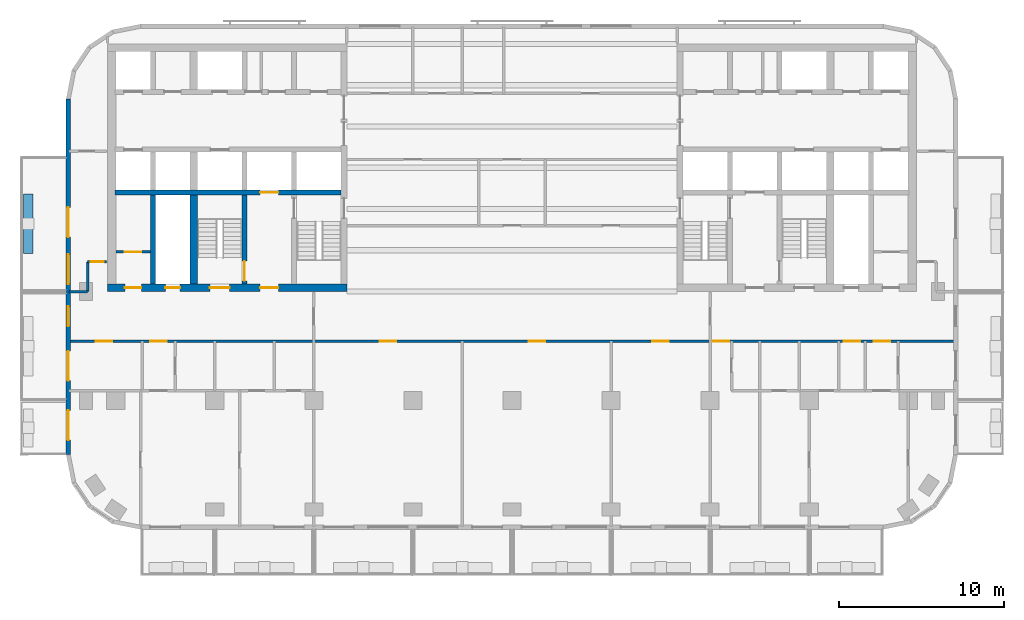
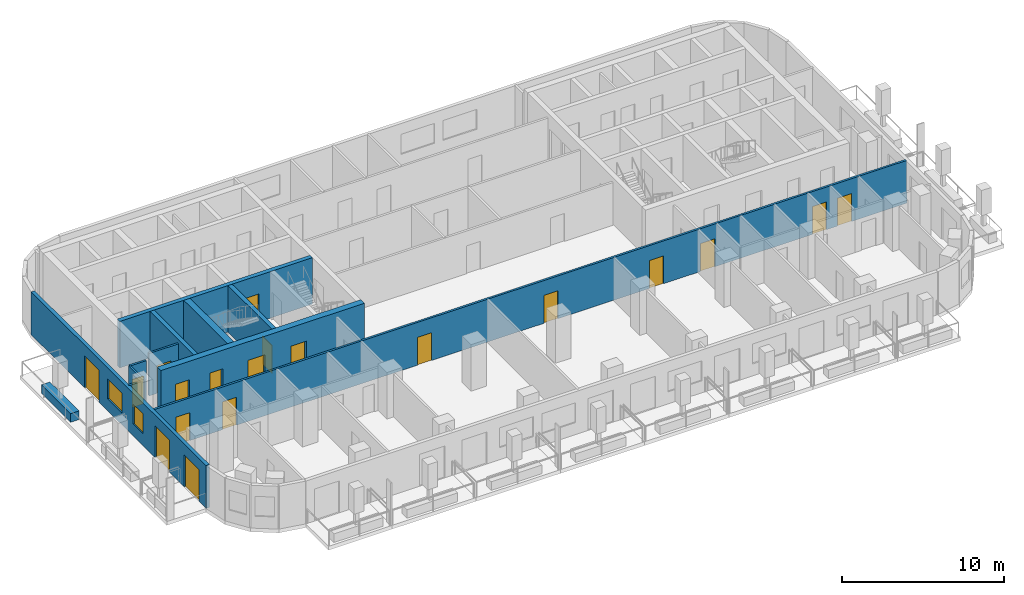
# One storey, part 3 of 11: 19 doors, 12 walls, 2 windows, 21 openings.
"""IFC4 building model written with IfcOpenShell, lengths in metres."""

from ifc_helpers import new_model, si_unit, direction, frame, frame_2d, origin, place, context, subcontext, project, spatial, rectangle, extrude, material, layer, layer_set, type_object, element, fill, save


model = new_model("IFC4")

# Units and contexts
model_context = context("Model", 3, precision=1e-05, world=origin(), true_north=direction((0.0, 1.0)))
body_context = subcontext(model_context, "Body", "Model", "MODEL_VIEW")
ifc_project = project(units=[si_unit("LENGTHUNIT", "METRE"), si_unit("AREAUNIT", "SQUARE_METRE"), si_unit("VOLUMEUNIT", "CUBIC_METRE"), si_unit("PLANEANGLEUNIT", "RADIAN"), si_unit("MASSUNIT", "GRAM", prefix="KILO")], contexts=[model_context])

# Site, building, storey
site_placement = place(None, origin())
site = spatial("IfcSite", under=ifc_project, at=site_placement, CompositionType="ELEMENT")
building_placement = place(site_placement, origin())
building = spatial("IfcBuilding", under=site, at=building_placement, Name="Torana Hotel and Residences", CompositionType="ELEMENT")
storey_placement = place(building_placement, frame((0.0, 0.0, 225.60009765625)))
storey = spatial("IfcBuildingStorey", under=building, at=storey_placement, Name="L59", CompositionType="ELEMENT", Elevation=225.60009765625)

# Wall, opening, door
ifc_material_1 = material(Name="Concrete C70/85", Category="concrete")
ifc_layer_1 = layer(ifc_material_1, 0.300048828125)
ifc_layer_set_1 = layer_set([ifc_layer_1], Name="CORE WALL 300 C70/85")
wall_type_1 = type_object("IfcWallType", Name="CORE WALL 300 C70/85", PredefinedType="SHEAR", material=ifc_layer_set_1)
wall_1_placement = place(storey_placement, frame((-24.050048828125, -9.0, 0.0), z_axis=(0.0, 0.0, 1.0), x_axis=(1.0, 0.0, 0.0)))
wall_1 = element("IfcWall", 1, at=wall_1_placement, inside=storey, type_object=wall_type_1, Name="Core wall W band", PredefinedType="SHEAR", context=body_context, shape_type="SweptSolid", body=[
    extrude(rectangle(XDim=13.699951171875, YDim=0.300048828125, at=frame_2d((6.85009765625, 0.0))), origin(), (0.0, 0.0, 1.0), 3.5),
])
opening_1_placement = place(wall_1_placement, frame((8.800048828125, 0.0, 0.0)))
opening_1 = element("IfcOpeningElement", 2, at=opening_1_placement, cuts=wall_1, Name="Opening LD", PredefinedType="OPENING", context=body_context, shape_type="SweptSolid", body=[
    extrude(rectangle(XDim=1.10009765625, YDim=2.10009765625, at=frame_2d((0.550048828125, 1.050048828125))), frame((0.0, 0.159912109375, 0.0), z_axis=(0.0, -1.0, 0.0), x_axis=(1.0, 0.0, 0.0)), (0.0, 0.0, 1.0), 0.320068359375),
])
ifc_material_2 = material(Name="Stainless steel 316", Category="steel")
door_type_1 = type_object("IfcDoorType", Name="LIFT LANDING DOOR LD 1100x2100", OperationType="DOUBLE_DOOR_SLIDING", PredefinedType="USERDEFINED", material=ifc_material_2)
door_1_placement = place(opening_1_placement, origin())
door_1 = element("IfcDoor", 3, at=door_1_placement, inside=storey, type_object=door_type_1, Name="Lift landing door FF1 L59", ObjectType="LIFT LANDING DOOR", OperationType="DOUBLE_DOOR_SLIDING", OverallHeight=2.10009765625, OverallWidth=1.10009765625, PredefinedType="USERDEFINED", context=body_context, shape_type="SweptSolid", body=[
    extrude(rectangle(XDim=1.10009765625, YDim=2.10009765625, at=frame_2d((0.550048828125, 1.050048828125))), frame((0.0, 0.02490234375, 0.0), z_axis=(0.0, -1.0, 0.0), x_axis=(1.0, 0.0, 0.0)), (0.0, 0.0, 1.0), 0.050048828125),
])
fill(opening_1, door_1)

wall_2_placement = place(storey_placement, frame((-16.199951171875, -14.550048828125, 0.0), z_axis=(0.0, 0.0, 1.0), x_axis=(0.0, 1.0, 0.0)))
wall_2 = element("IfcWall", 4, at=wall_2_placement, inside=storey, type_object=wall_type_1, Name="Core wall W x6.05-band", PredefinedType="SHEAR", context=body_context, shape_type="SweptSolid", body=[
    extrude(rectangle(XDim=5.400146484375, YDim=0.300048828125, at=frame_2d((2.7001953125, 0.0))), origin(), (0.0, 0.0, 1.0), 3.5),
])
opening_2_placement = place(wall_2_placement, frame((0.199951171875, 0.0, 0.0)))
opening_2 = element("IfcOpeningElement", 5, at=opening_2_placement, cuts=wall_2, Name="Opening L59-14", PredefinedType="OPENING", context=body_context, shape_type="SweptSolid", body=[
    extrude(rectangle(XDim=1.199951171875, YDim=2.10009765625, at=frame_2d((0.60009765625, 1.050048828125))), frame((0.0, 0.159912109375, 0.0), z_axis=(0.0, -1.0, 0.0), x_axis=(1.0, 0.0, 0.0)), (0.0, 0.0, 1.0), 0.320068359375),
])
ifc_material_3 = material(Name="Steel S235", Category="steel")
door_type_2 = type_object("IfcDoorType", Name="STAIR FIRE DOOR D3 1200x2100", OperationType="SINGLE_SWING_LEFT", PredefinedType="DOOR", material=ifc_material_3)
door_2_placement = place(opening_2_placement, origin())
door_2 = element("IfcDoor", 6, at=door_2_placement, inside=storey, type_object=door_type_2, Name="Stair-B-lobby door L59", OperationType="SINGLE_SWING_RIGHT", OverallHeight=2.10009765625, OverallWidth=1.199951171875, PredefinedType="DOOR", context=body_context, shape_type="SweptSolid", body=[
    extrude(rectangle(XDim=1.199951171875, YDim=2.10009765625, at=frame_2d((0.60009765625, 1.050048828125))), frame((0.0, 0.02490234375, 0.0), z_axis=(0.0, -1.0, 0.0), x_axis=(1.0, 0.0, 0.0)), (0.0, 0.0, 1.0), 0.050048828125),
])
fill(opening_2, door_2)

# Wall
wall_3_placement = place(storey_placement, frame((-21.75, -14.550048828125, 0.0), z_axis=(0.0, 0.0, 1.0), x_axis=(0.0, 1.0, 0.0)))
element("IfcWall", 7, at=wall_3_placement, inside=storey, type_object=wall_type_1, Name="Core wall W mm-band", PredefinedType="SHEAR", context=body_context, shape_type="SweptSolid", body=[
    extrude(rectangle(XDim=5.400146484375, YDim=0.300048828125, at=frame_2d((2.7001953125, 0.0))), origin(), (0.0, 0.0, 1.0), 3.5),
])

# Wall, openings, doors
ifc_material_4 = material(Name="Concrete C70/85", Category="concrete")
ifc_layer_2 = layer(ifc_material_4, 0.449951171875)
ifc_layer_set_2 = layer_set([ifc_layer_2], Name="CORE WALL 450 C70/85")
wall_type_2 = type_object("IfcWallType", Name="CORE WALL 450 C70/85", PredefinedType="SHEAR", material=ifc_layer_set_2)
wall_4_placement = place(storey_placement, frame((-24.5, -14.77490234375, 0.0), z_axis=(0.0, 0.0, 1.0), x_axis=(1.0, 0.0, 0.0)))
wall_4 = element("IfcWall", 8, at=wall_4_placement, inside=storey, type_object=wall_type_2, Name="Core wall W front", PredefinedType="SHEAR", context=body_context, shape_type="SweptSolid", body=[
    extrude(rectangle(XDim=14.5, YDim=0.449951171875, at=frame_2d((7.25, 0.0))), origin(), (0.0, 0.0, 1.0), 3.5),
])
opening_3_placement = place(wall_4_placement, frame((6.199951171875, 0.0, 0.0)))
opening_3 = element("IfcOpeningElement", 9, at=opening_3_placement, cuts=wall_4, Name="Opening L59-04", PredefinedType="OPENING", context=body_context, shape_type="SweptSolid", body=[
    extrude(rectangle(XDim=1.199951171875, YDim=2.10009765625, at=frame_2d((0.60009765625, 1.050048828125))), frame((0.0, 0.23486328125, 0.0), z_axis=(0.0, -1.0, 0.0), x_axis=(1.0, 0.0, 0.0)), (0.0, 0.0, 1.0), 0.469970703125),
])
opening_4_placement = place(wall_4_placement, frame((9.25, 0.0, 0.0)))
opening_4 = element("IfcOpeningElement", 10, at=opening_4_placement, cuts=wall_4, Name="Opening L59-05", PredefinedType="OPENING", context=body_context, shape_type="SweptSolid", body=[
    extrude(rectangle(XDim=1.10009765625, YDim=2.10009765625, at=frame_2d((0.550048828125, 1.050048828125))), frame((0.0, 0.23486328125, 0.0), z_axis=(0.0, -1.0, 0.0), x_axis=(1.0, 0.0, 0.0)), (0.0, 0.0, 1.0), 0.469970703125),
])
opening_5_placement = place(wall_4_placement, frame((3.5, 0.0, 0.0)))
opening_5 = element("IfcOpeningElement", 11, at=opening_5_placement, cuts=wall_4, Name="Opening L59-06", PredefinedType="OPENING", context=body_context, shape_type="SweptSolid", body=[
    extrude(rectangle(XDim=0.89990234375, YDim=2.10009765625, at=frame_2d((0.449951171875, 1.050048828125))), frame((0.0, 0.23486328125, 0.0), z_axis=(0.0, -1.0, 0.0), x_axis=(1.0, 0.0, 0.0)), (0.0, 0.0, 1.0), 0.469970703125),
])
opening_6_placement = place(wall_4_placement, frame((1.050048828125, 0.0, 0.0)))
opening_6 = element("IfcOpeningElement", 12, at=opening_6_placement, cuts=wall_4, Name="Opening L59-07", PredefinedType="OPENING", context=body_context, shape_type="SweptSolid", body=[
    extrude(rectangle(XDim=1.0, YDim=2.10009765625, at=frame_2d((0.5, 1.050048828125))), frame((0.0, 0.23486328125, 0.0), z_axis=(0.0, -1.0, 0.0), x_axis=(1.0, 0.0, 0.0)), (0.0, 0.0, 1.0), 0.469970703125),
])
ifc_material_5 = material(Name="Steel S235", Category="steel")
door_type_3 = type_object("IfcDoorType", Name="CORE ROOM FIRE DOOR D14 1000x2100", OperationType="SINGLE_SWING_LEFT", PredefinedType="DOOR", material=ifc_material_5)
door_3_placement = place(opening_6_placement, origin())
door_3 = element("IfcDoor", 13, at=door_3_placement, inside=storey, type_object=door_type_3, Name="M-Room-B door L59", OperationType="SINGLE_SWING_RIGHT", OverallHeight=2.10009765625, OverallWidth=1.0, PredefinedType="DOOR", context=body_context, shape_type="SweptSolid", body=[
    extrude(rectangle(XDim=1.0, YDim=2.10009765625, at=frame_2d((0.5, 1.050048828125))), frame((0.0, 0.02490234375, 0.0), z_axis=(0.0, -1.0, 0.0), x_axis=(1.0, 0.0, 0.0)), (0.0, 0.0, 1.0), 0.050048828125),
])
fill(opening_6, door_3)
ifc_material_6 = material(Name="Steel S235", Category="steel")
door_type_4 = type_object("IfcDoorType", Name="FIRE-FIGHTING LOBBY DOOR D8 1100x2100", OperationType="SINGLE_SWING_LEFT", PredefinedType="DOOR", material=ifc_material_6)
door_4_placement = place(opening_4_placement, origin())
door_4 = element("IfcDoor", 14, at=door_4_placement, inside=storey, type_object=door_type_4, Name="FF-lobby door L59", OperationType="SINGLE_SWING_RIGHT", OverallHeight=2.10009765625, OverallWidth=1.10009765625, PredefinedType="DOOR", context=body_context, shape_type="SweptSolid", body=[
    extrude(rectangle(XDim=1.10009765625, YDim=2.10009765625, at=frame_2d((0.550048828125, 1.050048828125))), frame((0.0, 0.02490234375, 0.0), z_axis=(0.0, -1.0, 0.0), x_axis=(1.0, 0.0, 0.0)), (0.0, 0.0, 1.0), 0.050048828125),
])
fill(opening_4, door_4)
ifc_material_7 = material(Name="Steel S235", Category="steel")
door_type_5 = type_object("IfcDoorType", Name="RISER ACCESS DOOR D5 900x2100", OperationType="SINGLE_SWING_LEFT", PredefinedType="DOOR", material=ifc_material_7)
door_5_placement = place(opening_5_placement, origin())
door_5 = element("IfcDoor", 15, at=door_5_placement, inside=storey, type_object=door_type_5, Name="M-Riser door L59", OperationType="SINGLE_SWING_RIGHT", OverallHeight=2.10009765625, OverallWidth=0.89990234375, PredefinedType="DOOR", context=body_context, shape_type="SweptSolid", body=[
    extrude(rectangle(XDim=0.89990234375, YDim=2.10009765625, at=frame_2d((0.449951171875, 1.050048828125))), frame((0.0, 0.02490234375, 0.0), z_axis=(0.0, -1.0, 0.0), x_axis=(1.0, 0.0, 0.0)), (0.0, 0.0, 1.0), 0.050048828125),
])
fill(opening_5, door_5)
door_6_placement = place(opening_3_placement, origin())
door_6 = element("IfcDoor", 16, at=door_6_placement, inside=storey, type_object=door_type_2, Name="Stair-B door L59", OperationType="SINGLE_SWING_RIGHT", OverallHeight=2.10009765625, OverallWidth=1.199951171875, PredefinedType="DOOR", context=body_context, shape_type="SweptSolid", body=[
    extrude(rectangle(XDim=1.199951171875, YDim=2.10009765625, at=frame_2d((0.60009765625, 1.050048828125))), frame((0.0, 0.02490234375, 0.0), z_axis=(0.0, -1.0, 0.0), x_axis=(1.0, 0.0, 0.0)), (0.0, 0.0, 1.0), 0.050048828125),
])
fill(opening_3, door_6)

# Wall
wall_5_placement = place(storey_placement, frame((-19.27490234375, -14.550048828125, 0.0), z_axis=(0.0, 0.0, 1.0), x_axis=(0.0, 1.0, 0.0)))
element("IfcWall", 17, at=wall_5_placement, inside=storey, type_object=wall_type_2, Name="Core wall W hm-band", PredefinedType="SHEAR", context=body_context, shape_type="SweptSolid", body=[
    extrude(rectangle(XDim=5.400146484375, YDim=0.449951171875, at=frame_2d((2.7001953125, 0.0))), origin(), (0.0, 0.0, 1.0), 3.5),
])

# Wall, openings, doors, windows
ifc_material_8 = material(Name="Black aluminium composite panel", Category="aluminium")
ifc_layer_3 = layer(ifc_material_8, 0.00390625, Name="Cladding", Category="cladding")
ifc_material_9 = material(Name="Ventilated air cavity")
ifc_layer_4 = layer(ifc_material_9, 0.0400390625, Name="Ventilated cavity", Category="cavity")
ifc_material_10 = material(Name="Mineral wool insulation")
ifc_layer_5 = layer(ifc_material_10, 0.090087890625, Name="Insulation", Category="insulation")
ifc_material_11 = material(Name="Steel S280GD", Category="steel")
ifc_layer_6 = layer(ifc_material_11, 0.092041015625, Name="Steel stud frame", Category="structure")
ifc_material_12 = material(Name="Fire rated plasterboard")
ifc_layer_7 = layer(ifc_material_12, 0.011962890625, Name="Inner board", Category="finish")
ifc_layer_8 = layer(ifc_material_12, 0.011962890625, Name="Second board", Category="finish")
ifc_layer_set_3 = layer_set([ifc_layer_3, ifc_layer_4, ifc_layer_5, ifc_layer_6, ifc_layer_7, ifc_layer_8], Name="EW1 EXTERNAL WALL BLACK METAL CLAD 250")
wall_type_3 = type_object("IfcWallType", Name="EW1 EXTERNAL WALL BLACK METAL CLAD 250", PredefinedType="SOLIDWALL", material=ifc_layer_set_3)
wall_6_placement = place(storey_placement, frame((-26.875, -3.32470703125, 0.0), z_axis=(0.0, 0.0, 1.0), x_axis=(0.0, -1.0, 0.0)))
wall_6 = element("IfcWall", 18, at=wall_6_placement, inside=storey, type_object=wall_type_3, Name="External wall L59 e0.9", PredefinedType="SOLIDWALL", context=body_context, shape_type="SweptSolid", body=[
    extrude(rectangle(XDim=21.55078125, YDim=0.25, at=frame_2d((10.775390625, 0.0))), origin(), (0.0, 0.0, 1.0), 3.219970703125),
])
opening_7_placement = place(wall_6_placement, frame((6.575439453125, 0.0, 0.0)))
opening_7 = element("IfcOpeningElement", 19, at=opening_7_placement, cuts=wall_6, Name="Opening L59-E12", PredefinedType="OPENING", context=body_context, shape_type="SweptSolid", body=[
    extrude(rectangle(XDim=1.800048828125, YDim=2.39990234375, at=frame_2d((0.89990234375, 1.199951171875))), frame((0.0, 0.135009765625, 0.0), z_axis=(0.0, -1.0, 0.0), x_axis=(1.0, 0.0, 0.0)), (0.0, 0.0, 1.0), 0.27001953125),
])
opening_8_placement = place(wall_6_placement, frame((9.42529296875, 0.0, 0.89990234375)))
opening_8 = element("IfcOpeningElement", 20, at=opening_8_placement, cuts=wall_6, Name="Opening W4", PredefinedType="OPENING", context=body_context, shape_type="SweptSolid", body=[
    extrude(rectangle(XDim=1.800048828125, YDim=1.5, at=frame_2d((0.89990234375, 0.75))), frame((0.0, 0.135009765625, 0.0), z_axis=(0.0, -1.0, 0.0), x_axis=(1.0, 0.0, 0.0)), (0.0, 0.0, 1.0), 0.27001953125),
])
opening_9_placement = place(wall_6_placement, frame((12.575439453125, 0.0, 0.89990234375)))
opening_9 = element("IfcOpeningElement", 21, at=opening_9_placement, cuts=wall_6, Name="Opening W5", PredefinedType="OPENING", context=body_context, shape_type="SweptSolid", body=[
    extrude(rectangle(XDim=1.199951171875, YDim=1.5, at=frame_2d((0.60009765625, 0.75))), frame((0.0, 0.135009765625, 0.0), z_axis=(0.0, -1.0, 0.0), x_axis=(1.0, 0.0, 0.0)), (0.0, 0.0, 1.0), 0.27001953125),
])
opening_10_placement = place(wall_6_placement, frame((15.275390625, 0.0, 0.0)))
opening_10 = element("IfcOpeningElement", 22, at=opening_10_placement, cuts=wall_6, Name="Opening L59-E13", PredefinedType="OPENING", context=body_context, shape_type="SweptSolid", body=[
    extrude(rectangle(XDim=1.800048828125, YDim=2.39990234375, at=frame_2d((0.89990234375, 1.199951171875))), frame((0.0, 0.135009765625, 0.0), z_axis=(0.0, -1.0, 0.0), x_axis=(1.0, 0.0, 0.0)), (0.0, 0.0, 1.0), 0.27001953125),
])
opening_11_placement = place(wall_6_placement, frame((18.87548828125, 0.0, 0.0)))
opening_11 = element("IfcOpeningElement", 23, at=opening_11_placement, cuts=wall_6, Name="Opening L59-E14", PredefinedType="OPENING", context=body_context, shape_type="SweptSolid", body=[
    extrude(rectangle(XDim=1.800048828125, YDim=2.39990234375, at=frame_2d((0.89990234375, 1.199951171875))), frame((0.0, 0.135009765625, 0.0), z_axis=(0.0, -1.0, 0.0), x_axis=(1.0, 0.0, 0.0)), (0.0, 0.0, 1.0), 0.27001953125),
])
ifc_material_13 = material(Name="Dark glass in black aluminium frame", Category="aluminium")
door_type_6 = type_object("IfcDoorType", Name="DB1 BALCONY DOOR 1800x2400", OperationType="DOUBLE_DOOR_SINGLE_SWING", PredefinedType="DOOR", material=ifc_material_13)
door_7_placement = place(opening_7_placement, origin())
door_7 = element("IfcDoor", 24, at=door_7_placement, inside=storey, type_object=door_type_6, Name="Balcony door L59", OperationType="DOUBLE_DOOR_SINGLE_SWING", OverallHeight=2.39990234375, OverallWidth=1.800048828125, PredefinedType="DOOR", context=body_context, shape_type="SweptSolid", body=[
    extrude(rectangle(XDim=1.800048828125, YDim=2.39990234375, at=frame_2d((0.89990234375, 1.199951171875))), frame((0.0, 0.02490234375, 0.0), z_axis=(0.0, -1.0, 0.0), x_axis=(1.0, 0.0, 0.0)), (0.0, 0.0, 1.0), 0.050048828125),
])
fill(opening_7, door_7)
door_8_placement = place(opening_10_placement, origin())
door_8 = element("IfcDoor", 25, at=door_8_placement, inside=storey, type_object=door_type_6, Name="Balcony door L59", OperationType="DOUBLE_DOOR_SINGLE_SWING", OverallHeight=2.39990234375, OverallWidth=1.800048828125, PredefinedType="DOOR", context=body_context, shape_type="SweptSolid", body=[
    extrude(rectangle(XDim=1.800048828125, YDim=2.39990234375, at=frame_2d((0.89990234375, 1.199951171875))), frame((0.0, 0.02490234375, 0.0), z_axis=(0.0, -1.0, 0.0), x_axis=(1.0, 0.0, 0.0)), (0.0, 0.0, 1.0), 0.050048828125),
])
fill(opening_10, door_8)
door_9_placement = place(opening_11_placement, origin())
door_9 = element("IfcDoor", 26, at=door_9_placement, inside=storey, type_object=door_type_6, Name="Balcony door L59", OperationType="DOUBLE_DOOR_SINGLE_SWING", OverallHeight=2.39990234375, OverallWidth=1.800048828125, PredefinedType="DOOR", context=body_context, shape_type="SweptSolid", body=[
    extrude(rectangle(XDim=1.800048828125, YDim=2.39990234375, at=frame_2d((0.89990234375, 1.199951171875))), frame((0.0, 0.02490234375, 0.0), z_axis=(0.0, -1.0, 0.0), x_axis=(1.0, 0.0, 0.0)), (0.0, 0.0, 1.0), 0.050048828125),
])
fill(opening_11, door_9)
ifc_material_14 = material(Name="Dark glass in black aluminium frame", Category="aluminium")
window_type_1 = type_object("IfcWindowType", Name="W4 RESIDENCE WINDOW NARROW 1800x1500", PartitioningType="SINGLE_PANEL", PredefinedType="WINDOW", material=ifc_material_14)
window_1_placement = place(opening_8_placement, origin())
window_1 = element("IfcWindow", 27, at=window_1_placement, inside=storey, type_object=window_type_1, Name="Window L59", OverallHeight=1.5, OverallWidth=1.800048828125, PartitioningType="SINGLE_PANEL", PredefinedType="WINDOW", context=body_context, shape_type="SweptSolid", body=[
    extrude(rectangle(XDim=1.800048828125, YDim=1.5, at=frame_2d((0.89990234375, 0.75))), frame((0.0, 0.030029296875, 0.0), z_axis=(0.0, -1.0, 0.0), x_axis=(1.0, 0.0, 0.0)), (0.0, 0.0, 1.0), 0.06005859375),
])
fill(opening_8, window_1)
ifc_material_15 = material(Name="Dark glass in black aluminium frame", Category="aluminium")
window_type_2 = type_object("IfcWindowType", Name="W5 CORNER FACET WINDOW 1200x1500", PartitioningType="SINGLE_PANEL", PredefinedType="WINDOW", material=ifc_material_15)
window_2_placement = place(opening_9_placement, origin())
window_2 = element("IfcWindow", 28, at=window_2_placement, inside=storey, type_object=window_type_2, Name="Window L59", OverallHeight=1.5, OverallWidth=1.199951171875, PartitioningType="SINGLE_PANEL", PredefinedType="WINDOW", context=body_context, shape_type="SweptSolid", body=[
    extrude(rectangle(XDim=1.199951171875, YDim=1.5, at=frame_2d((0.60009765625, 0.75))), frame((0.0, 0.030029296875, 0.0), z_axis=(0.0, -1.0, 0.0), x_axis=(1.0, 0.0, 0.0)), (0.0, 0.0, 1.0), 0.06005859375),
])
fill(opening_9, window_2)

# Wall, opening, door
ifc_material_16 = material(Name="Gypsum plaster")
ifc_layer_9 = layer(ifc_material_16, 0.014892578125, Name="Plaster", Category="finish")
ifc_material_17 = material(Name="Concrete blockwork", Category="masonry")
ifc_layer_10 = layer(ifc_material_17, 0.1201171875, Name="Blockwork", Category="structure")
ifc_layer_11 = layer(ifc_material_16, 0.014892578125, Name="Plaster", Category="finish")
ifc_layer_set_4 = layer_set([ifc_layer_9, ifc_layer_10, ifc_layer_11], Name="FIRE PARTITION 150 BLOCKWORK")
wall_type_4 = type_object("IfcWallType", Name="FIRE PARTITION 150 BLOCKWORK", PredefinedType="PARTITIONING", material=ifc_layer_set_4)
wall_7_placement = place(storey_placement, frame((-24.0, -12.60009765625, 0.0), z_axis=(0.0, 0.0, 1.0), x_axis=(1.0, 0.0, 0.0)))
wall_7 = element("IfcWall", 29, at=wall_7_placement, inside=storey, type_object=wall_type_4, Name="Core partition L59", PredefinedType="PARTITIONING", context=body_context, shape_type="SweptSolid", body=[
    extrude(rectangle(XDim=2.10009765625, YDim=0.14990234375, at=frame_2d((1.050048828125, 0.0))), origin(), (0.0, 0.0, 1.0), 3.199951171875),
])
opening_12_placement = place(wall_7_placement, frame((0.550048828125, 0.0, 0.0)))
opening_12 = element("IfcOpeningElement", 30, at=opening_12_placement, cuts=wall_7, Name="Opening L59-29", PredefinedType="OPENING", context=body_context, shape_type="SweptSolid", body=[
    extrude(rectangle(XDim=1.0, YDim=2.10009765625, at=frame_2d((0.5, 1.050048828125))), frame((0.0, 0.0849609375, 0.0), z_axis=(0.0, -1.0, 0.0), x_axis=(1.0, 0.0, 0.0)), (0.0, 0.0, 1.0), 0.169921875),
])
door_10_placement = place(opening_12_placement, origin())
door_10 = element("IfcDoor", 31, at=door_10_placement, inside=storey, type_object=door_type_3, Name="Plant room door L59", OperationType="SINGLE_SWING_RIGHT", OverallHeight=2.10009765625, OverallWidth=1.0, PredefinedType="DOOR", context=body_context, shape_type="SweptSolid", body=[
    extrude(rectangle(XDim=1.0, YDim=2.10009765625, at=frame_2d((0.5, 1.050048828125))), frame((0.0, 0.02490234375, 0.0), z_axis=(0.0, -1.0, 0.0), x_axis=(1.0, 0.0, 0.0)), (0.0, 0.0, 1.0), 0.050048828125),
])
fill(opening_12, door_10)

# Wall
wall_8_placement = place(storey_placement, frame((-25.699951171875, -15.0, 0.0), z_axis=(0.0, 0.0, 1.0), x_axis=(0.0, 1.0, 0.0)))
element("IfcWall", 32, at=wall_8_placement, inside=storey, type_object=wall_type_4, Name="Partition L59", PredefinedType="PARTITIONING", context=body_context, shape_type="SweptSolid", body=[
    extrude(rectangle(XDim=1.800048828125, YDim=0.14990234375, at=frame_2d((0.89990234375, 0.0))), origin(), (0.0, 0.0, 1.0), 3.219970703125),
])

# Wall, openings, doors
wall_9_placement = place(storey_placement, frame((-26.820068359375, -18.0, 0.0), z_axis=(0.0, 0.0, 1.0), x_axis=(1.0, 0.0, 0.0)))
wall_9 = element("IfcWall", 33, at=wall_9_placement, inside=storey, type_object=wall_type_4, Name="Partition L59", PredefinedType="PARTITIONING", context=body_context, shape_type="SweptSolid", body=[
    extrude(rectangle(XDim=53.64013671875, YDim=0.14990234375, at=frame_2d((26.820068359375, 0.0))), origin(), (0.0, 0.0, 1.0), 3.219970703125),
])
opening_13_placement = place(wall_9_placement, frame((4.919921875, 0.0, 0.0)))
opening_13 = element("IfcOpeningElement", 34, at=opening_13_placement, cuts=wall_9, Name="Opening L59-32", PredefinedType="OPENING", context=body_context, shape_type="SweptSolid", body=[
    extrude(rectangle(XDim=1.0, YDim=2.10009765625, at=frame_2d((0.5, 1.050048828125))), frame((0.0, 0.0849609375, 0.0), z_axis=(0.0, -1.0, 0.0), x_axis=(1.0, 0.0, 0.0)), (0.0, 0.0, 1.0), 0.169921875),
])
opening_14_placement = place(wall_9_placement, frame((1.6201171875, 0.0, 0.0)))
opening_14 = element("IfcOpeningElement", 35, at=opening_14_placement, cuts=wall_9, Name="Opening L59-33", PredefinedType="OPENING", context=body_context, shape_type="SweptSolid", body=[
    extrude(rectangle(XDim=1.0, YDim=2.10009765625, at=frame_2d((0.5, 1.050048828125))), frame((0.0, 0.0849609375, 0.0), z_axis=(0.0, -1.0, 0.0), x_axis=(1.0, 0.0, 0.0)), (0.0, 0.0, 1.0), 0.169921875),
])
opening_15_placement = place(wall_9_placement, frame((38.969970703125, 0.0, 0.0)))
opening_15 = element("IfcOpeningElement", 36, at=opening_15_placement, cuts=wall_9, Name="Opening L59-36", PredefinedType="OPENING", context=body_context, shape_type="SweptSolid", body=[
    extrude(rectangle(XDim=1.0, YDim=2.10009765625, at=frame_2d((0.5, 1.050048828125))), frame((0.0, 0.0849609375, 0.0), z_axis=(0.0, -1.0, 0.0), x_axis=(1.0, 0.0, 0.0)), (0.0, 0.0, 1.0), 0.169921875),
])
opening_16_placement = place(wall_9_placement, frame((48.719970703125, 0.0, 0.0)))
opening_16 = element("IfcOpeningElement", 37, at=opening_16_placement, cuts=wall_9, Name="Opening L59-37", PredefinedType="OPENING", context=body_context, shape_type="SweptSolid", body=[
    extrude(rectangle(XDim=1.0, YDim=2.10009765625, at=frame_2d((0.5, 1.050048828125))), frame((0.0, 0.0849609375, 0.0), z_axis=(0.0, -1.0, 0.0), x_axis=(1.0, 0.0, 0.0)), (0.0, 0.0, 1.0), 0.169921875),
])
opening_17_placement = place(wall_9_placement, frame((46.919921875, 0.0, 0.0)))
opening_17 = element("IfcOpeningElement", 38, at=opening_17_placement, cuts=wall_9, Name="Opening L59-38", PredefinedType="OPENING", context=body_context, shape_type="SweptSolid", body=[
    extrude(rectangle(XDim=1.0, YDim=2.10009765625, at=frame_2d((0.5, 1.050048828125))), frame((0.0, 0.0849609375, 0.0), z_axis=(0.0, -1.0, 0.0), x_axis=(1.0, 0.0, 0.0)), (0.0, 0.0, 1.0), 0.169921875),
])
opening_18_placement = place(wall_9_placement, frame((18.820068359375, 0.0, 0.0)))
opening_18 = element("IfcOpeningElement", 39, at=opening_18_placement, cuts=wall_9, Name="Opening L59-41", PredefinedType="OPENING", context=body_context, shape_type="SweptSolid", body=[
    extrude(rectangle(XDim=1.0, YDim=2.10009765625, at=frame_2d((0.5, 1.050048828125))), frame((0.0, 0.0849609375, 0.0), z_axis=(0.0, -1.0, 0.0), x_axis=(1.0, 0.0, 0.0)), (0.0, 0.0, 1.0), 0.169921875),
])
opening_19_placement = place(wall_9_placement, frame((27.820068359375, 0.0, 0.0)))
opening_19 = element("IfcOpeningElement", 40, at=opening_19_placement, cuts=wall_9, Name="Opening L59-42", PredefinedType="OPENING", context=body_context, shape_type="SweptSolid", body=[
    extrude(rectangle(XDim=1.0, YDim=2.10009765625, at=frame_2d((0.5, 1.050048828125))), frame((0.0, 0.0849609375, 0.0), z_axis=(0.0, -1.0, 0.0), x_axis=(1.0, 0.0, 0.0)), (0.0, 0.0, 1.0), 0.169921875),
])
opening_20_placement = place(wall_9_placement, frame((35.320068359375, 0.0, 0.0)))
opening_20 = element("IfcOpeningElement", 41, at=opening_20_placement, cuts=wall_9, Name="Opening L59-43", PredefinedType="OPENING", context=body_context, shape_type="SweptSolid", body=[
    extrude(rectangle(XDim=1.0, YDim=2.10009765625, at=frame_2d((0.5, 1.050048828125))), frame((0.0, 0.0849609375, 0.0), z_axis=(0.0, -1.0, 0.0), x_axis=(1.0, 0.0, 0.0)), (0.0, 0.0, 1.0), 0.169921875),
])
ifc_material_18 = material(Name="Steel S235", Category="steel")
door_type_7 = type_object("IfcDoorType", Name="ENTRY FIRE DOOR D6 1000x2100", OperationType="SINGLE_SWING_LEFT", PredefinedType="DOOR", material=ifc_material_18)
door_11_placement = place(opening_13_placement, origin())
door_11 = element("IfcDoor", 42, at=door_11_placement, inside=storey, type_object=door_type_7, Name="Door L59", OperationType="SINGLE_SWING_RIGHT", OverallHeight=2.10009765625, OverallWidth=1.0, PredefinedType="DOOR", context=body_context, shape_type="SweptSolid", body=[
    extrude(rectangle(XDim=1.0, YDim=2.10009765625, at=frame_2d((0.5, 1.050048828125))), frame((0.0, 0.02490234375, 0.0), z_axis=(0.0, -1.0, 0.0), x_axis=(1.0, 0.0, 0.0)), (0.0, 0.0, 1.0), 0.050048828125),
])
fill(opening_13, door_11)
door_12_placement = place(opening_14_placement, frame((0.5, 0.0, 0.0), z_axis=(0.0, 0.0, 1.0), x_axis=(-1.0, 0.0, 0.0)))
door_12 = element("IfcDoor", 43, at=door_12_placement, inside=storey, type_object=door_type_7, Name="Door L59", OperationType="SINGLE_SWING_LEFT", OverallHeight=2.10009765625, OverallWidth=1.0, PredefinedType="DOOR", context=body_context, shape_type="SweptSolid", body=[
    extrude(rectangle(XDim=1.0, YDim=2.10009765625, at=frame_2d((0.0, 1.050048828125))), frame((0.0, -0.02490234375, 0.0), z_axis=(0.0, 1.0, 0.0), x_axis=(-1.0, 0.0, 0.0)), (0.0, 0.0, 1.0), 0.050048828125),
])
fill(opening_14, door_12)
door_13_placement = place(opening_15_placement, frame((0.5, 0.0, 0.0), z_axis=(0.0, 0.0, 1.0), x_axis=(-1.0, 0.0, 0.0)))
door_13 = element("IfcDoor", 44, at=door_13_placement, inside=storey, type_object=door_type_7, Name="Door L59", OperationType="SINGLE_SWING_LEFT", OverallHeight=2.10009765625, OverallWidth=1.0, PredefinedType="DOOR", context=body_context, shape_type="SweptSolid", body=[
    extrude(rectangle(XDim=1.0, YDim=2.10009765625, at=frame_2d((0.0, 1.050048828125))), frame((0.0, -0.02490234375, 0.0), z_axis=(0.0, 1.0, 0.0), x_axis=(-1.0, 0.0, 0.0)), (0.0, 0.0, 1.0), 0.050048828125),
])
fill(opening_15, door_13)
door_14_placement = place(opening_16_placement, origin())
door_14 = element("IfcDoor", 45, at=door_14_placement, inside=storey, type_object=door_type_7, Name="Door L59", OperationType="SINGLE_SWING_RIGHT", OverallHeight=2.10009765625, OverallWidth=1.0, PredefinedType="DOOR", context=body_context, shape_type="SweptSolid", body=[
    extrude(rectangle(XDim=1.0, YDim=2.10009765625, at=frame_2d((0.5, 1.050048828125))), frame((0.0, 0.02490234375, 0.0), z_axis=(0.0, -1.0, 0.0), x_axis=(1.0, 0.0, 0.0)), (0.0, 0.0, 1.0), 0.050048828125),
])
fill(opening_16, door_14)
door_15_placement = place(opening_17_placement, frame((0.5, 0.0, 0.0), z_axis=(0.0, 0.0, 1.0), x_axis=(-1.0, 0.0, 0.0)))
door_15 = element("IfcDoor", 46, at=door_15_placement, inside=storey, type_object=door_type_7, Name="Door L59", OperationType="SINGLE_SWING_LEFT", OverallHeight=2.10009765625, OverallWidth=1.0, PredefinedType="DOOR", context=body_context, shape_type="SweptSolid", body=[
    extrude(rectangle(XDim=1.0, YDim=2.10009765625, at=frame_2d((0.0, 1.050048828125))), frame((0.0, -0.02490234375, 0.0), z_axis=(0.0, 1.0, 0.0), x_axis=(-1.0, 0.0, 0.0)), (0.0, 0.0, 1.0), 0.050048828125),
])
fill(opening_17, door_15)
door_16_placement = place(opening_18_placement, frame((0.5, 0.0, 0.0), z_axis=(0.0, 0.0, 1.0), x_axis=(-1.0, 0.0, 0.0)))
door_16 = element("IfcDoor", 47, at=door_16_placement, inside=storey, type_object=door_type_7, Name="Door L59", OperationType="SINGLE_SWING_LEFT", OverallHeight=2.10009765625, OverallWidth=1.0, PredefinedType="DOOR", context=body_context, shape_type="SweptSolid", body=[
    extrude(rectangle(XDim=1.0, YDim=2.10009765625, at=frame_2d((0.0, 1.050048828125))), frame((0.0, -0.02490234375, 0.0), z_axis=(0.0, 1.0, 0.0), x_axis=(-1.0, 0.0, 0.0)), (0.0, 0.0, 1.0), 0.050048828125),
])
fill(opening_18, door_16)
door_17_placement = place(opening_19_placement, frame((0.5, 0.0, 0.0), z_axis=(0.0, 0.0, 1.0), x_axis=(-1.0, 0.0, 0.0)))
door_17 = element("IfcDoor", 48, at=door_17_placement, inside=storey, type_object=door_type_7, Name="Door L59", OperationType="SINGLE_SWING_LEFT", OverallHeight=2.10009765625, OverallWidth=1.0, PredefinedType="DOOR", context=body_context, shape_type="SweptSolid", body=[
    extrude(rectangle(XDim=1.0, YDim=2.10009765625, at=frame_2d((0.0, 1.050048828125))), frame((0.0, -0.02490234375, 0.0), z_axis=(0.0, 1.0, 0.0), x_axis=(-1.0, 0.0, 0.0)), (0.0, 0.0, 1.0), 0.050048828125),
])
fill(opening_19, door_17)
door_18_placement = place(opening_20_placement, frame((0.5, 0.0, 0.0), z_axis=(0.0, 0.0, 1.0), x_axis=(-1.0, 0.0, 0.0)))
door_18 = element("IfcDoor", 49, at=door_18_placement, inside=storey, type_object=door_type_7, Name="Door L59", OperationType="SINGLE_SWING_LEFT", OverallHeight=2.10009765625, OverallWidth=1.0, PredefinedType="DOOR", context=body_context, shape_type="SweptSolid", body=[
    extrude(rectangle(XDim=1.0, YDim=2.10009765625, at=frame_2d((0.0, 1.050048828125))), frame((0.0, -0.02490234375, 0.0), z_axis=(0.0, 1.0, 0.0), x_axis=(-1.0, 0.0, 0.0)), (0.0, 0.0, 1.0), 0.050048828125),
])
fill(opening_20, door_18)

# Wall
wall_10_placement = place(storey_placement, frame((-26.820068359375, -15.0, 0.0), z_axis=(0.0, 0.0, 1.0), x_axis=(1.0, 0.0, 0.0)))
element("IfcWall", 50, at=wall_10_placement, inside=storey, type_object=wall_type_4, Name="Partition L59", PredefinedType="PARTITIONING", context=body_context, shape_type="SweptSolid", body=[
    extrude(rectangle(XDim=1.1201171875, YDim=0.14990234375, at=frame_2d((0.56005859375, 0.0))), origin(), (0.0, 0.0, 1.0), 3.219970703125),
])

# Wall, opening, door
wall_11_placement = place(storey_placement, frame((-25.699951171875, -13.199951171875, 0.0), z_axis=(0.0, 0.0, 1.0), x_axis=(1.0, 0.0, 0.0)))
wall_11 = element("IfcWall", 51, at=wall_11_placement, inside=storey, type_object=wall_type_4, Name="Partition L59", PredefinedType="PARTITIONING", context=body_context, shape_type="SweptSolid", body=[
    extrude(rectangle(XDim=1.14990234375, YDim=0.14990234375, at=frame_2d((0.574951171875, 0.0))), origin(), (0.0, 0.0, 1.0), 3.219970703125),
])
opening_21_placement = place(wall_11_placement, frame((0.175048828125, 0.0, 0.0)))
opening_21 = element("IfcOpeningElement", 52, at=opening_21_placement, cuts=wall_11, Name="Opening L59-34", PredefinedType="OPENING", context=body_context, shape_type="SweptSolid", body=[
    extrude(rectangle(XDim=0.800048828125, YDim=2.10009765625, at=frame_2d((0.39990234375, 1.050048828125))), frame((0.0, 0.0849609375, 0.0), z_axis=(0.0, -1.0, 0.0), x_axis=(1.0, 0.0, 0.0)), (0.0, 0.0, 1.0), 0.169921875),
])
ifc_material_19 = material(Name="Steel S235", Category="steel")
door_type_8 = type_object("IfcDoorType", Name="STORE FIRE DOOR D16 800x2100", OperationType="SINGLE_SWING_LEFT", PredefinedType="DOOR", material=ifc_material_19)
door_19_placement = place(opening_21_placement, origin())
door_19 = element("IfcDoor", 53, at=door_19_placement, inside=storey, type_object=door_type_8, Name="Door L59", OperationType="SINGLE_SWING_LEFT", OverallHeight=2.10009765625, OverallWidth=0.800048828125, PredefinedType="DOOR", context=body_context, shape_type="SweptSolid", body=[
    extrude(rectangle(XDim=0.800048828125, YDim=2.10009765625, at=frame_2d((0.39990234375, 1.050048828125))), frame((0.0, 0.02490234375, 0.0), z_axis=(0.0, -1.0, 0.0), x_axis=(1.0, 0.0, 0.0)), (0.0, 0.0, 1.0), 0.050048828125),
])
fill(opening_21, door_19)

# Wall
ifc_material_20 = material(Name="Concrete C40/50 precast", Category="concrete")
ifc_layer_12 = layer(ifc_material_20, 0.10009765625, Name="Planter shell", Category="structure")
ifc_material_21 = material(Name="Root resistant membrane")
ifc_layer_13 = layer(ifc_material_21, 0.00390625, Name="Waterproofing membrane", Category="membrane")
ifc_material_22 = material(Name="Drainage board with filter fleece")
ifc_layer_14 = layer(ifc_material_22, 0.02001953125, Name="Drainage board", Category="drainage")
ifc_material_23 = material(Name="Growing medium")
ifc_layer_15 = layer(ifc_material_23, 0.47607421875, Name="Planting substrate", Category="soil")
ifc_layer_set_5 = layer_set([ifc_layer_12, ifc_layer_13, ifc_layer_14, ifc_layer_15], Name="PL1 BALCONY PLANTER 600")
wall_type_5 = type_object("IfcWallType", Name="PL1 BALCONY PLANTER 600", PredefinedType="USERDEFINED", material=ifc_layer_set_5)
wall_12_placement = place(storey_placement, frame((-29.300048828125, -12.699951171875, 0.0), z_axis=(0.0, 0.0, 1.0), x_axis=(0.0, 1.0, 0.0)))
element("IfcWall", 54, at=wall_12_placement, inside=storey, type_object=wall_type_5, Name="Planter 11", ObjectType="PLANTER", PredefinedType="USERDEFINED", context=body_context, shape_type="SweptSolid", body=[
    extrude(rectangle(XDim=3.599853515625, YDim=0.60009765625, at=frame_2d((1.7998046875, 0.0))), origin(), (0.0, 0.0, 1.0), 0.64990234375),
])

save(model, "model.ifc")
